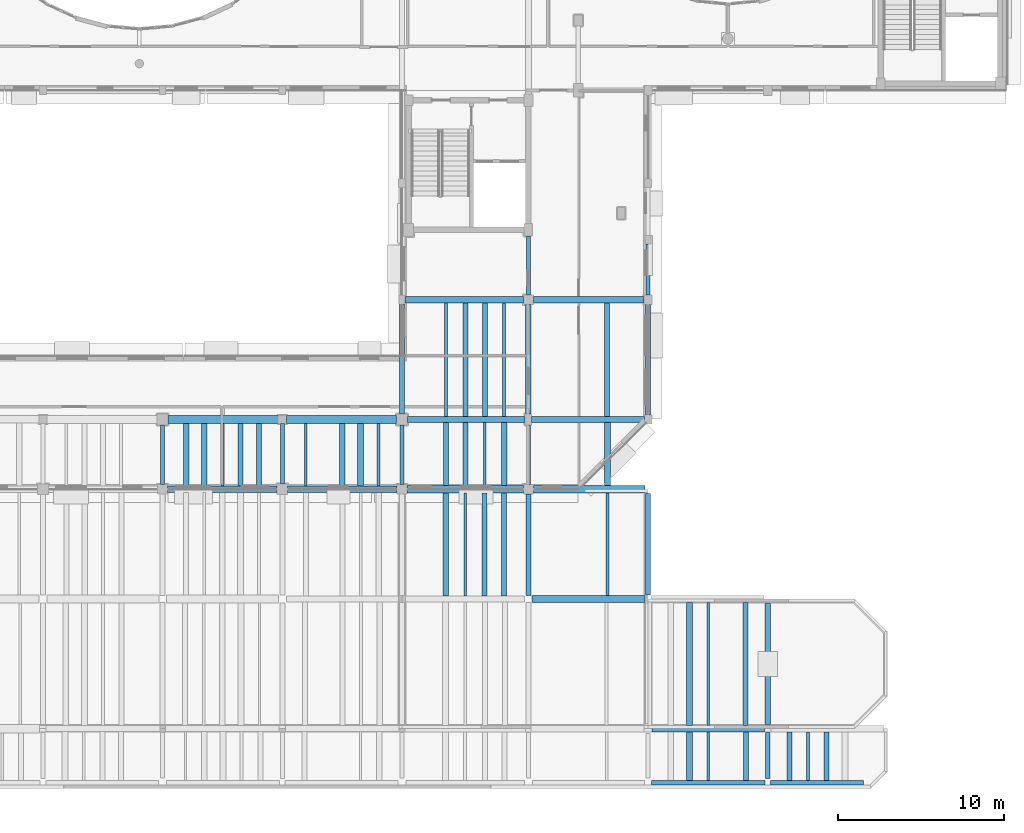
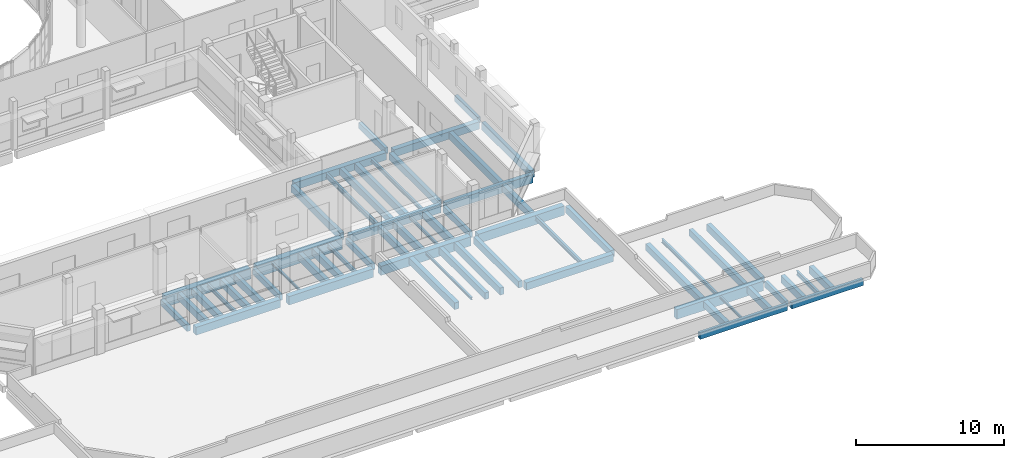
# One storey, part 26 of 105: 60 beams.
"""IFC4 building model written with IfcOpenShell, lengths in metres."""

from ifc_helpers import new_model, si_unit, direction, frame, origin, origin_2d, place, context, subcontext, project, spatial, rectangle, i_section, extrude, material, material_profile, profile_set, type_object, element, save


model = new_model("IFC4")

# Units and contexts
model_context = context("Model", 3, precision=1e-05, world=origin(), true_north=direction((0.0, 1.0)))
body_context = subcontext(model_context, "Body", "Model", "MODEL_VIEW")
ifc_project = project(units=[si_unit("LENGTHUNIT", "METRE"), si_unit("AREAUNIT", "SQUARE_METRE"), si_unit("VOLUMEUNIT", "CUBIC_METRE"), si_unit("PLANEANGLEUNIT", "RADIAN"), si_unit("MASSUNIT", "GRAM", prefix="KILO")], contexts=[model_context])

# Site, building, storey
site_placement = place(None, origin())
site = spatial("IfcSite", under=ifc_project, at=site_placement, CompositionType="ELEMENT")
building_placement = place(site_placement, origin())
building = spatial("IfcBuilding", under=site, at=building_placement, Name="Kelanivale Promenade Academy", CompositionType="ELEMENT")
storey_placement = place(building_placement, frame((0.0, 0.0, 4.199951171875)))
storey = spatial("IfcBuildingStorey", under=building, at=storey_placement, Name="L01", CompositionType="ELEMENT", Elevation=4.199951171875)

# Beams
ifc_material_1 = material(Name="Concrete C35/45", Category="concrete")
ifc_material_profile_1 = material_profile(ifc_material_1, rectangle(XDim=0.39990234375, YDim=0.64990234375, at=origin_2d()), Name="RC-BM 400x650")
ifc_profile_set_1 = profile_set([ifc_material_profile_1], Name="Concrete C35/45")
beam_type_1 = type_object("IfcBeamType", Name="BM-01 RC-BM 400x650", PredefinedType="BEAM", material=ifc_profile_set_1)
beam_1_placement = place(storey_placement, frame((65.094970703125, 18.0, -0.544921875), z_axis=(1.0, 0.0, 0.0), x_axis=(0.0, 1.0, 0.0)))
element("IfcBeam", 1, at=beam_1_placement, inside=storey, type_object=beam_type_1, Name="L01 girder BM-01", PredefinedType="BEAM", context=body_context, shape_type="SweptSolid", body=[
    extrude(rectangle(XDim=0.39990234375, YDim=0.64990234375, at=origin_2d()), origin(), (0.0, 0.0, 1.0), 6.5849609375),
])
ifc_material_profile_2 = material_profile(ifc_material_1, rectangle(XDim=0.39990234375, YDim=0.699951171875, at=origin_2d()), Name="RC-BM 400x700")
ifc_profile_set_2 = profile_set([ifc_material_profile_2], Name="Concrete C35/45")
beam_type_2 = type_object("IfcBeamType", Name="BM-02 RC-BM 400x700", PredefinedType="BEAM", material=ifc_profile_set_2)
beam_2_placement = place(storey_placement, frame((72.320068359375, 18.0, -0.570068359375), z_axis=(1.0, 0.0, 0.0), x_axis=(0.0, 1.0, 0.0)))
element("IfcBeam", 2, at=beam_2_placement, inside=storey, type_object=beam_type_2, Name="L01 girder BM-02", PredefinedType="BEAM", context=body_context, shape_type="SweptSolid", body=[
    extrude(rectangle(XDim=0.39990234375, YDim=0.699951171875, at=origin_2d()), origin(), (0.0, 0.0, 1.0), 6.5849609375),
])
ifc_material_profile_3 = material_profile(ifc_material_1, rectangle(XDim=0.449951171875, YDim=0.75, at=origin_2d()), Name="RC-BM 450x750")
ifc_profile_set_3 = profile_set([ifc_material_profile_3], Name="Concrete C35/45")
beam_type_3 = type_object("IfcBeamType", Name="BM-04 RC-BM 450x750", PredefinedType="BEAM", material=ifc_profile_set_3)
beam_3_placement = place(storey_placement, frame((79.4951171875, 18.0, -0.594970703125), z_axis=(1.0, 0.0, 0.0), x_axis=(0.0, 1.0, 0.0)))
element("IfcBeam", 3, at=beam_3_placement, inside=storey, type_object=beam_type_3, Name="L01 girder BM-04", PredefinedType="BEAM", context=body_context, shape_type="SweptSolid", body=[
    extrude(rectangle(XDim=0.449951171875, YDim=0.75, at=origin_2d()), origin(), (0.0, 0.0, 1.0), 7.009765625),
])
beam_4_placement = place(storey_placement, frame((87.094970703125, 18.0, -0.614990234375), z_axis=(1.0, 0.0, 0.0), x_axis=(0.0, 1.0, 0.0)))
element("IfcBeam", 4, at=beam_4_placement, inside=storey, type_object=beam_type_3, Name="L01 girder BM-04", PredefinedType="BEAM", context=body_context, shape_type="SweptSolid", body=[
    extrude(rectangle(XDim=0.449951171875, YDim=0.75, at=origin_2d()), origin(), (0.0, 0.0, 1.0), 6.7099609375),
])
ifc_material_profile_4 = material_profile(ifc_material_1, rectangle(XDim=0.5, YDim=0.85009765625, at=origin_2d()), Name="RC-BM 500x850")
ifc_profile_set_4 = profile_set([ifc_material_profile_4], Name="Concrete C35/45")
beam_type_4 = type_object("IfcBeamType", Name="BM-07 RC-BM 500x850", PredefinedType="BEAM", material=ifc_profile_set_4)
beam_5_placement = place(storey_placement, frame((65.1201171875, 22.199951171875, -0.64501953125), z_axis=(1.0, 0.0, 0.0), x_axis=(0.0, 1.0, 0.0)))
element("IfcBeam", 5, at=beam_5_placement, inside=storey, type_object=beam_type_4, Name="L01 girder BM-07", PredefinedType="BEAM", context=body_context, shape_type="SweptSolid", body=[
    extrude(rectangle(XDim=0.5, YDim=0.85009765625, at=origin_2d()), origin(), (0.0, 0.0, 1.0), 6.634765625),
])
ifc_material_profile_5 = material_profile(ifc_material_1, rectangle(XDim=0.5, YDim=0.89990234375, at=origin_2d()), Name="RC-BM 500x900")
ifc_profile_set_5 = profile_set([ifc_material_profile_5], Name="Concrete C35/45")
beam_type_5 = type_object("IfcBeamType", Name="BM-08 RC-BM 500x900", PredefinedType="BEAM", material=ifc_profile_set_5)
beam_6_placement = place(storey_placement, frame((72.2451171875, 22.199951171875, -0.669921875), z_axis=(1.0, 0.0, 0.0), x_axis=(0.0, 1.0, 0.0)))
element("IfcBeam", 6, at=beam_6_placement, inside=storey, type_object=beam_type_5, Name="L01 girder BM-08", PredefinedType="BEAM", context=body_context, shape_type="SweptSolid", body=[
    extrude(rectangle(XDim=0.5, YDim=0.89990234375, at=origin_2d()), origin(), (0.0, 0.0, 1.0), 6.634765625),
])
ifc_material_profile_6 = material_profile(ifc_material_1, rectangle(XDim=0.35009765625, YDim=0.64990234375, at=origin_2d()), Name="RC-BM 350x650")
ifc_profile_set_6 = profile_set([ifc_material_profile_6], Name="Concrete C35/45")
beam_type_6 = type_object("IfcBeamType", Name="BM-10 RC-BM 350x650", PredefinedType="BEAM", material=ifc_profile_set_6)
beam_7_placement = place(storey_placement, frame((79.52001953125, 22.199951171875, -0.544921875), z_axis=(1.0, 0.0, 0.0), x_axis=(0.0, 1.0, 0.0)))
element("IfcBeam", 7, at=beam_7_placement, inside=storey, type_object=beam_type_6, Name="L01 girder BM-10", PredefinedType="BEAM", context=body_context, shape_type="SweptSolid", body=[
    extrude(rectangle(XDim=0.35009765625, YDim=0.64990234375, at=origin_2d()), origin(), (0.0, 0.0, 1.0), 7.0849609375),
])
ifc_material_profile_7 = material_profile(ifc_material_1, rectangle(XDim=0.35009765625, YDim=0.699951171875, at=origin_2d()), Name="RC-BM 350x700")
ifc_profile_set_7 = profile_set([ifc_material_profile_7], Name="Concrete C35/45")
beam_type_7 = type_object("IfcBeamType", Name="BM-11 RC-BM 350x700", PredefinedType="BEAM", material=ifc_profile_set_7)
beam_8_placement = place(storey_placement, frame((86.9951171875, 22.199951171875, -0.570068359375), z_axis=(1.0, 0.0, 0.0), x_axis=(0.0, 1.0, 0.0)))
element("IfcBeam", 8, at=beam_8_placement, inside=storey, type_object=beam_type_7, Name="L01 girder BM-11", PredefinedType="BEAM", context=body_context, shape_type="SweptSolid", body=[
    extrude(rectangle(XDim=0.35009765625, YDim=0.699951171875, at=origin_2d()), origin(), (0.0, 0.0, 1.0), 6.784912109375),
])
ifc_material_profile_8 = material_profile(ifc_material_1, rectangle(XDim=0.39990234375, YDim=0.60009765625, at=origin_2d()), Name="RC-BM 400x600")
ifc_profile_set_8 = profile_set([ifc_material_profile_8], Name="Concrete C35/45")
beam_type_8 = type_object("IfcBeamType", Name="BM-12 RC-BM 400x600", PredefinedType="BEAM", material=ifc_profile_set_8)
beam_9_placement = place(storey_placement, frame((87.02001953125, 11.39990234375, -0.5400390625), z_axis=(1.0, 0.0, 0.0), x_axis=(0.0, 1.0, 0.0)))
element("IfcBeam", 9, at=beam_9_placement, inside=storey, type_object=beam_type_8, Name="L01 girder BM-12", PredefinedType="BEAM", context=body_context, shape_type="SweptSolid", body=[
    extrude(rectangle(XDim=0.39990234375, YDim=0.60009765625, at=origin_2d()), origin(), (0.0, 0.0, 1.0), 6.81005859375),
])
beam_10_placement = place(storey_placement, frame((79.3701171875, 29.39990234375, -0.52001953125), z_axis=(1.0, 0.0, 0.0), x_axis=(0.0, 1.0, 0.0)))
element("IfcBeam", 10, at=beam_10_placement, inside=storey, type_object=beam_type_8, Name="L01 girder BM-12", PredefinedType="BEAM", context=body_context, shape_type="SweptSolid", body=[
    extrude(rectangle(XDim=0.39990234375, YDim=0.60009765625, at=origin_2d()), origin(), (0.0, 0.0, 1.0), 7.134765625),
])
beam_11_placement = place(storey_placement, frame((87.094970703125, 29.39990234375, -0.52001953125), z_axis=(1.0, 0.0, 0.0), x_axis=(0.0, 1.0, 0.0)))
element("IfcBeam", 11, at=beam_11_placement, inside=storey, type_object=beam_type_8, Name="L01 girder BM-12", PredefinedType="BEAM", context=body_context, shape_type="SweptSolid", body=[
    extrude(rectangle(XDim=0.39990234375, YDim=0.60009765625, at=origin_2d()), origin(), (0.0, 0.0, 1.0), 6.659912109375),
])
ifc_material_profile_9 = material_profile(ifc_material_1, rectangle(XDim=0.39990234375, YDim=0.800048828125, at=origin_2d()), Name="RC-BM 400x800")
ifc_profile_set_9 = profile_set([ifc_material_profile_9], Name="Concrete C35/45")
beam_type_9 = type_object("IfcBeamType", Name="BM-14 RC-BM 400x800", PredefinedType="BEAM", material=ifc_profile_set_9)
beam_12_placement = place(storey_placement, frame((94.2451171875, 3.60009765625, -0.639892578125), z_axis=(1.0, 0.0, 0.0), x_axis=(0.0, 1.0, 0.0)))
element("IfcBeam", 12, at=beam_12_placement, inside=storey, type_object=beam_type_9, Name="L01 girder BM-14", PredefinedType="BEAM", context=body_context, shape_type="SweptSolid", body=[
    extrude(rectangle(XDim=0.39990234375, YDim=0.800048828125, at=origin_2d()), origin(), (0.0, 0.0, 1.0), 6.759765625),
])
ifc_material_profile_10 = material_profile(ifc_material_1, rectangle(XDim=0.300048828125, YDim=0.550048828125, at=origin_2d()), Name="RC-BM 300x550")
ifc_profile_set_10 = profile_set([ifc_material_profile_10], Name="Concrete C35/45")
beam_type_10 = type_object("IfcBeamType", Name="JS-02 RC-BM 300x550", PredefinedType="JOIST", material=ifc_profile_set_10)
beam_13_placement = place(storey_placement, frame((86.800048828125, 11.6201171875, -0.514892578125), z_axis=(0.0, 1.0, 0.0), x_axis=(-1.0, 0.0, 0.0)))
element("IfcBeam", 13, at=beam_13_placement, inside=storey, type_object=beam_type_10, Name="L01 beam JS-02", PredefinedType="JOIST", context=body_context, shape_type="SweptSolid", body=[
    extrude(rectangle(XDim=0.300048828125, YDim=0.550048828125, at=origin_2d()), origin(), (0.0, 0.0, 1.0), 6.0849609375),
])
beam_14_placement = place(storey_placement, frame((94.0, 11.64501953125, -0.514892578125), z_axis=(0.0, 1.0, 0.0), x_axis=(-1.0, 0.0, 0.0)))
element("IfcBeam", 14, at=beam_14_placement, inside=storey, type_object=beam_type_10, Name="L01 beam JS-02", PredefinedType="JOIST", context=body_context, shape_type="SweptSolid", body=[
    extrude(rectangle(XDim=0.300048828125, YDim=0.550048828125, at=origin_2d()), origin(), (0.0, 0.0, 1.0), 6.10986328125),
])
beam_15_placement = place(storey_placement, frame((99.8779296875, 0.489990234375, -0.514892578125), z_axis=(0.0, 1.0, 0.0), x_axis=(-1.0, 0.0, 0.0)))
element("IfcBeam", 15, at=beam_15_placement, inside=storey, type_object=beam_type_10, Name="L01 secondary sub-beam JS-02", PredefinedType="JOIST", context=body_context, shape_type="SweptSolid", body=[
    extrude(rectangle(XDim=0.300048828125, YDim=0.550048828125, at=origin_2d()), origin(), (0.0, 0.0, 1.0), 2.909912109375),
])
beam_16_placement = place(storey_placement, frame((99.85791015625, 3.800048828125, -0.514892578125), z_axis=(0.0, 1.0, 0.0), x_axis=(-1.0, 0.0, 0.0)))
element("IfcBeam", 16, at=beam_16_placement, inside=storey, type_object=beam_type_10, Name="L01 secondary sub-beam JS-02", PredefinedType="JOIST", context=body_context, shape_type="SweptSolid", body=[
    extrude(rectangle(XDim=0.300048828125, YDim=0.550048828125, at=origin_2d()), origin(), (0.0, 0.0, 1.0), 7.39990234375),
])
beam_17_placement = place(storey_placement, frame((84.16796875, 11.574951171875, -0.514892578125), z_axis=(0.0, 1.0, 0.0), x_axis=(-1.0, 0.0, 0.0)))
element("IfcBeam", 17, at=beam_17_placement, inside=storey, type_object=beam_type_10, Name="L01 secondary sub-beam JS-02", PredefinedType="JOIST", context=body_context, shape_type="SweptSolid", body=[
    extrude(rectangle(XDim=0.300048828125, YDim=0.550048828125, at=origin_2d()), origin(), (0.0, 0.0, 1.0), 6.199951171875),
])
beam_18_placement = place(storey_placement, frame((69.492919921875, 18.199951171875, -0.494873046875), z_axis=(0.0, 1.0, 0.0), x_axis=(-1.0, 0.0, 0.0)))
element("IfcBeam", 18, at=beam_18_placement, inside=storey, type_object=beam_type_10, Name="L01 secondary sub-beam JS-02", PredefinedType="JOIST", context=body_context, shape_type="SweptSolid", body=[
    extrude(rectangle(XDim=0.300048828125, YDim=0.550048828125, at=origin_2d()), origin(), (0.0, 0.0, 1.0), 3.75),
])
beam_19_placement = place(storey_placement, frame((81.847900390625, 18.22509765625, -0.494873046875), z_axis=(0.0, 1.0, 0.0), x_axis=(-1.0, 0.0, 0.0)))
element("IfcBeam", 19, at=beam_19_placement, inside=storey, type_object=beam_type_10, Name="L01 secondary sub-beam JS-02", PredefinedType="JOIST", context=body_context, shape_type="SweptSolid", body=[
    extrude(rectangle(XDim=0.300048828125, YDim=0.550048828125, at=origin_2d()), origin(), (0.0, 0.0, 1.0), 3.7998046875),
])
beam_20_placement = place(storey_placement, frame((83.011962890625, 22.375, -0.494873046875), z_axis=(0.0, 1.0, 0.0), x_axis=(-1.0, 0.0, 0.0)))
element("IfcBeam", 20, at=beam_20_placement, inside=storey, type_object=beam_type_10, Name="L01 secondary sub-beam JS-02", PredefinedType="JOIST", context=body_context, shape_type="SweptSolid", body=[
    extrude(rectangle(XDim=0.300048828125, YDim=0.550048828125, at=origin_2d()), origin(), (0.0, 0.0, 1.0), 6.824951171875),
])
ifc_material_profile_11 = material_profile(ifc_material_1, rectangle(XDim=0.300048828125, YDim=0.60009765625, at=origin_2d()), Name="RC-BM 300x600")
ifc_profile_set_11 = profile_set([ifc_material_profile_11], Name="Concrete C35/45")
beam_type_11 = type_object("IfcBeamType", Name="JS-03 RC-BM 300x600", PredefinedType="JOIST", material=ifc_profile_set_11)
beam_21_placement = place(storey_placement, frame((94.0, 22.469970703125, -0.52001953125), z_axis=(0.0, 1.0, 0.0), x_axis=(-1.0, 0.0, 0.0)))
element("IfcBeam", 21, at=beam_21_placement, inside=storey, type_object=beam_type_11, Name="L01 beam JS-03", PredefinedType="JOIST", context=body_context, shape_type="SweptSolid", body=[
    extrude(rectangle(XDim=0.300048828125, YDim=0.60009765625, at=origin_2d()), origin(), (0.0, 0.0, 1.0), 6.635009765625),
])
beam_22_placement = place(storey_placement, frame((102.507080078125, 0.489990234375, -0.5400390625), z_axis=(0.0, 1.0, 0.0), x_axis=(-1.0, 0.0, 0.0)))
element("IfcBeam", 22, at=beam_22_placement, inside=storey, type_object=beam_type_11, Name="L01 secondary sub-beam JS-03", PredefinedType="JOIST", context=body_context, shape_type="SweptSolid", body=[
    extrude(rectangle(XDim=0.300048828125, YDim=0.60009765625, at=origin_2d()), origin(), (0.0, 0.0, 1.0), 2.909912109375),
])
beam_23_placement = place(storey_placement, frame((85.3369140625, 11.574951171875, -0.5400390625), z_axis=(0.0, 1.0, 0.0), x_axis=(-1.0, 0.0, 0.0)))
element("IfcBeam", 23, at=beam_23_placement, inside=storey, type_object=beam_type_11, Name="L01 secondary sub-beam JS-03", PredefinedType="JOIST", context=body_context, shape_type="SweptSolid", body=[
    extrude(rectangle(XDim=0.300048828125, YDim=0.60009765625, at=origin_2d()), origin(), (0.0, 0.0, 1.0), 6.199951171875),
])
beam_24_placement = place(storey_placement, frame((70.5869140625, 18.199951171875, -0.52001953125), z_axis=(0.0, 1.0, 0.0), x_axis=(-1.0, 0.0, 0.0)))
element("IfcBeam", 24, at=beam_24_placement, inside=storey, type_object=beam_type_11, Name="L01 secondary sub-beam JS-03", PredefinedType="JOIST", context=body_context, shape_type="SweptSolid", body=[
    extrude(rectangle(XDim=0.300048828125, YDim=0.60009765625, at=origin_2d()), origin(), (0.0, 0.0, 1.0), 3.75),
])
beam_25_placement = place(storey_placement, frame((83.011962890625, 18.22509765625, -0.52001953125), z_axis=(0.0, 1.0, 0.0), x_axis=(-1.0, 0.0, 0.0)))
element("IfcBeam", 25, at=beam_25_placement, inside=storey, type_object=beam_type_11, Name="L01 secondary sub-beam JS-03", PredefinedType="JOIST", context=body_context, shape_type="SweptSolid", body=[
    extrude(rectangle(XDim=0.300048828125, YDim=0.60009765625, at=origin_2d()), origin(), (0.0, 0.0, 1.0), 3.7998046875),
])
beam_26_placement = place(storey_placement, frame((84.177001953125, 22.375, -0.52001953125), z_axis=(0.0, 1.0, 0.0), x_axis=(-1.0, 0.0, 0.0)))
element("IfcBeam", 26, at=beam_26_placement, inside=storey, type_object=beam_type_11, Name="L01 secondary sub-beam JS-03", PredefinedType="JOIST", context=body_context, shape_type="SweptSolid", body=[
    extrude(rectangle(XDim=0.300048828125, YDim=0.60009765625, at=origin_2d()), origin(), (0.0, 0.0, 1.0), 6.824951171875),
])
ifc_material_profile_12 = material_profile(ifc_material_1, rectangle(XDim=0.320068359375, YDim=0.550048828125, at=origin_2d()), Name="RC-BM 320x550")
ifc_profile_set_12 = profile_set([ifc_material_profile_12], Name="Concrete C35/45")
beam_type_12 = type_object("IfcBeamType", Name="JS-04 RC-BM 320x550", PredefinedType="JOIST", material=ifc_profile_set_12)
beam_27_placement = place(storey_placement, frame((86.800048828125, 22.52001953125, -0.494873046875), z_axis=(0.0, 1.0, 0.0), x_axis=(-1.0, 0.0, 0.0)))
element("IfcBeam", 27, at=beam_27_placement, inside=storey, type_object=beam_type_12, Name="L01 beam JS-04", PredefinedType="JOIST", context=body_context, shape_type="SweptSolid", body=[
    extrude(rectangle(XDim=0.320068359375, YDim=0.550048828125, at=origin_2d()), origin(), (0.0, 0.0, 1.0), 6.5849609375),
])
beam_28_placement = place(storey_placement, frame((101.199951171875, 3.844970703125, -0.514892578125), z_axis=(0.0, 1.0, 0.0), x_axis=(-1.0, 0.0, 0.0)))
element("IfcBeam", 28, at=beam_28_placement, inside=storey, type_object=beam_type_12, Name="L01 beam JS-04", PredefinedType="JOIST", context=body_context, shape_type="SweptSolid", body=[
    extrude(rectangle(XDim=0.320068359375, YDim=0.550048828125, at=origin_2d()), origin(), (0.0, 0.0, 1.0), 7.284912109375),
])
ifc_material_profile_13 = material_profile(ifc_material_1, rectangle(XDim=0.320068359375, YDim=0.60009765625, at=origin_2d()), Name="RC-BM 320x600")
ifc_profile_set_13 = profile_set([ifc_material_profile_13], Name="Concrete C35/45")
beam_type_13 = type_object("IfcBeamType", Name="JS-05 RC-BM 320x600", PredefinedType="JOIST", material=ifc_profile_set_13)
beam_29_placement = place(storey_placement, frame((79.199951171875, 22.52001953125, -0.52001953125), z_axis=(0.0, 1.0, 0.0), x_axis=(-1.0, 0.0, 0.0)))
element("IfcBeam", 29, at=beam_29_placement, inside=storey, type_object=beam_type_13, Name="L01 beam JS-05", PredefinedType="JOIST", context=body_context, shape_type="SweptSolid", body=[
    extrude(rectangle(XDim=0.320068359375, YDim=0.60009765625, at=origin_2d()), origin(), (0.0, 0.0, 1.0), 6.635009765625),
])
beam_30_placement = place(storey_placement, frame((104.73095703125, 0.489990234375, -0.5400390625), z_axis=(0.0, 1.0, 0.0), x_axis=(-1.0, 0.0, 0.0)))
element("IfcBeam", 30, at=beam_30_placement, inside=storey, type_object=beam_type_13, Name="L01 secondary sub-beam JS-05", PredefinedType="JOIST", context=body_context, shape_type="SweptSolid", body=[
    extrude(rectangle(XDim=0.320068359375, YDim=0.60009765625, at=origin_2d()), origin(), (0.0, 0.0, 1.0), 2.909912109375),
])
for number, where, z_axis, x_axis, name in (
    (31, (66.212890625, 18.199951171875, -0.52001953125), (0.0, 1.0, 0.0), (-1.0, 0.0, 0.0), "L01 secondary sub-beam JS-05"),
    (32, (75.60009765625, 18.199951171875, -0.52001953125), (0.0, 1.0, 0.0), (-1.0, 0.0, 0.0), "L01 secondary sub-beam JS-05"),
):
    element("IfcBeam", number, at=place(storey_placement, frame(where, z_axis=z_axis, x_axis=x_axis)), inside=storey, type_object=beam_type_13, Name=name, PredefinedType="JOIST", context=body_context, shape_type="SweptSolid", body=[
        extrude(rectangle(XDim=0.320068359375, YDim=0.60009765625, at=origin_2d()), origin(), (0.0, 0.0, 1.0), 3.75),
    ])
beam_31_placement = place(storey_placement, frame((85.341064453125, 18.22509765625, -0.52001953125), z_axis=(0.0, 1.0, 0.0), x_axis=(-1.0, 0.0, 0.0)))
element("IfcBeam", 33, at=beam_31_placement, inside=storey, type_object=beam_type_13, Name="L01 secondary sub-beam JS-05", PredefinedType="JOIST", context=body_context, shape_type="SweptSolid", body=[
    extrude(rectangle(XDim=0.320068359375, YDim=0.60009765625, at=origin_2d()), origin(), (0.0, 0.0, 1.0), 3.7998046875),
])
beam_32_placement = place(storey_placement, frame((91.534912109375, 22.375, -0.52001953125), z_axis=(0.0, 1.0, 0.0), x_axis=(-1.0, 0.0, 0.0)))
element("IfcBeam", 34, at=beam_32_placement, inside=storey, type_object=beam_type_13, Name="L01 secondary sub-beam JS-05", PredefinedType="JOIST", context=body_context, shape_type="SweptSolid", body=[
    extrude(rectangle(XDim=0.320068359375, YDim=0.60009765625, at=origin_2d()), origin(), (0.0, 0.0, 1.0), 6.824951171875),
])
ifc_material_profile_14 = material_profile(ifc_material_1, rectangle(XDim=0.35009765625, YDim=0.550048828125, at=origin_2d()), Name="RC-BM 350x550")
ifc_profile_set_14 = profile_set([ifc_material_profile_14], Name="Concrete C35/45")
beam_type_14 = type_object("IfcBeamType", Name="JS-06 RC-BM 350x550", PredefinedType="JOIST", material=ifc_profile_set_14)
beam_33_placement = place(storey_placement, frame((96.498046875, 0.489990234375, -0.514892578125), z_axis=(0.0, 1.0, 0.0), x_axis=(-1.0, 0.0, 0.0)))
element("IfcBeam", 35, at=beam_33_placement, inside=storey, type_object=beam_type_14, Name="L01 secondary sub-beam JS-06", PredefinedType="JOIST", context=body_context, shape_type="SweptSolid", body=[
    extrude(rectangle(XDim=0.35009765625, YDim=0.550048828125, at=origin_2d()), origin(), (0.0, 0.0, 1.0), 2.909912109375),
])
beam_34_placement = place(storey_placement, frame((96.489990234375, 3.800048828125, -0.514892578125), z_axis=(0.0, 1.0, 0.0), x_axis=(-1.0, 0.0, 0.0)))
element("IfcBeam", 36, at=beam_34_placement, inside=storey, type_object=beam_type_14, Name="L01 secondary sub-beam JS-06", PredefinedType="JOIST", context=body_context, shape_type="SweptSolid", body=[
    extrude(rectangle(XDim=0.35009765625, YDim=0.550048828125, at=origin_2d()), origin(), (0.0, 0.0, 1.0), 7.39990234375),
])
beam_35_placement = place(storey_placement, frame((81.83203125, 11.574951171875, -0.514892578125), z_axis=(0.0, 1.0, 0.0), x_axis=(-1.0, 0.0, 0.0)))
element("IfcBeam", 37, at=beam_35_placement, inside=storey, type_object=beam_type_14, Name="L01 secondary sub-beam JS-06", PredefinedType="JOIST", context=body_context, shape_type="SweptSolid", body=[
    extrude(rectangle(XDim=0.35009765625, YDim=0.550048828125, at=origin_2d()), origin(), (0.0, 0.0, 1.0), 6.199951171875),
])
for number, where, z_axis, x_axis, name in (
    (38, (67.306884765625, 18.199951171875, -0.494873046875), (0.0, 1.0, 0.0), (-1.0, 0.0, 0.0), "L01 secondary sub-beam JS-06"),
    (39, (76.693115234375, 18.199951171875, -0.494873046875), (0.0, 1.0, 0.0), (-1.0, 0.0, 0.0), "L01 secondary sub-beam JS-06"),
):
    element("IfcBeam", number, at=place(storey_placement, frame(where, z_axis=z_axis, x_axis=x_axis)), inside=storey, type_object=beam_type_14, Name=name, PredefinedType="JOIST", context=body_context, shape_type="SweptSolid", body=[
        extrude(rectangle(XDim=0.35009765625, YDim=0.550048828125, at=origin_2d()), origin(), (0.0, 0.0, 1.0), 3.75),
    ])
beam_36_placement = place(storey_placement, frame((91.552001953125, 18.22509765625, -0.514892578125), z_axis=(0.0, 1.0, 0.0), x_axis=(-1.0, 0.0, 0.0)))
element("IfcBeam", 40, at=beam_36_placement, inside=storey, type_object=beam_type_14, Name="L01 secondary sub-beam JS-06", PredefinedType="JOIST", context=body_context, shape_type="SweptSolid", body=[
    extrude(rectangle(XDim=0.35009765625, YDim=0.550048828125, at=origin_2d()), origin(), (0.0, 0.0, 1.0), 3.7998046875),
])
ifc_material_profile_15 = material_profile(ifc_material_1, rectangle(XDim=0.25, YDim=0.5, at=origin_2d()), Name="RC-BM 250x500")
ifc_profile_set_15 = profile_set([ifc_material_profile_15], Name="Concrete C35/45")
beam_type_15 = type_object("IfcBeamType", Name="LN-02 RC-BM 250x500", PredefinedType="LINTEL", material=ifc_profile_set_15)
beam_37_placement = place(storey_placement, frame((64.800048828125, 18.294921875, -0.469970703125), z_axis=(0.0, 1.0, 0.0), x_axis=(-1.0, 0.0, 0.0)))
element("IfcBeam", 41, at=beam_37_placement, inside=storey, type_object=beam_type_15, Name="L01 beam LN-02", PredefinedType="LINTEL", context=body_context, shape_type="SweptSolid", body=[
    extrude(rectangle(XDim=0.25, YDim=0.5, at=origin_2d()), origin(), (0.0, 0.0, 1.0), 3.5849609375),
])
beam_38_placement = place(storey_placement, frame((72.0, 18.320068359375, -0.469970703125), z_axis=(0.0, 1.0, 0.0), x_axis=(-1.0, 0.0, 0.0)))
element("IfcBeam", 42, at=beam_38_placement, inside=storey, type_object=beam_type_15, Name="L01 beam LN-02", PredefinedType="LINTEL", context=body_context, shape_type="SweptSolid", body=[
    extrude(rectangle(XDim=0.25, YDim=0.5, at=origin_2d()), origin(), (0.0, 0.0, 1.0), 3.635009765625),
])
for number, where, z_axis, x_axis, name in (
    (43, (79.199951171875, 18.294921875, -0.469970703125), (0.0, 1.0, 0.0), (-1.0, 0.0, 0.0), "L01 beam LN-02"),
    (44, (86.800048828125, 18.294921875, -0.469970703125), (0.0, 1.0, 0.0), (-1.0, 0.0, 0.0), "L01 beam LN-02"),
):
    element("IfcBeam", number, at=place(storey_placement, frame(where, z_axis=z_axis, x_axis=x_axis)), inside=storey, type_object=beam_type_15, Name=name, PredefinedType="LINTEL", context=body_context, shape_type="SweptSolid", body=[
        extrude(rectangle(XDim=0.25, YDim=0.5, at=origin_2d()), origin(), (0.0, 0.0, 1.0), 3.5849609375),
    ])
beam_39_placement = place(storey_placement, frame((86.800048828125, 29.695068359375, -0.469970703125), z_axis=(0.0, 1.0, 0.0), x_axis=(-1.0, 0.0, 0.0)))
element("IfcBeam", 45, at=beam_39_placement, inside=storey, type_object=beam_type_15, Name="L01 beam LN-02", PredefinedType="LINTEL", context=body_context, shape_type="SweptSolid", body=[
    extrude(rectangle(XDim=0.25, YDim=0.5, at=origin_2d()), origin(), (0.0, 0.0, 1.0), 3.534912109375),
])
beam_40_placement = place(storey_placement, frame((94.0, 29.695068359375, -0.469970703125), z_axis=(0.0, 1.0, 0.0), x_axis=(-1.0, 0.0, 0.0)))
element("IfcBeam", 46, at=beam_40_placement, inside=storey, type_object=beam_type_15, Name="L01 beam LN-02", PredefinedType="LINTEL", context=body_context, shape_type="SweptSolid", body=[
    extrude(rectangle(XDim=0.25, YDim=0.5, at=origin_2d()), origin(), (0.0, 0.0, 1.0), 3.059814453125),
])
beam_41_placement = place(storey_placement, frame((101.199951171875, 0.594970703125, -0.489990234375), z_axis=(0.0, 1.0, 0.0), x_axis=(-1.0, 0.0, 0.0)))
element("IfcBeam", 47, at=beam_41_placement, inside=storey, type_object=beam_type_15, Name="L01 beam LN-02", PredefinedType="LINTEL", context=body_context, shape_type="SweptSolid", body=[
    extrude(rectangle(XDim=0.25, YDim=0.5, at=origin_2d()), origin(), (0.0, 0.0, 1.0), 2.760009765625),
])
ifc_material_2 = material(Name="Steel S355", Category="steel")
ifc_material_profile_16 = material_profile(ifc_material_2, i_section(OverallWidth=0.13330078125, OverallDepth=0.203125, WebThickness=0.005615234375, FlangeThickness=0.0078125, FilletRadius=0.007568359375, at=origin_2d()), Name="UB 203x133x25")
ifc_profile_set_16 = profile_set([ifc_material_profile_16], Name="Steel S355")
beam_type_16 = type_object("IfcBeamType", Name="SB-01 UB 203x133x25", PredefinedType="JOIST", material=ifc_profile_set_16)
beam_42_placement = place(storey_placement, frame((97.625, 0.489990234375, -0.342041015625), z_axis=(0.0, 1.0, 0.0), x_axis=(-1.0, 0.0, 0.0)))
element("IfcBeam", 48, at=beam_42_placement, inside=storey, type_object=beam_type_16, Name="L01 secondary sub-beam SB-01", PredefinedType="JOIST", context=body_context, shape_type="SweptSolid", body=[
    extrude(i_section(OverallWidth=0.13330078125, OverallDepth=0.203125, WebThickness=0.005615234375, FlangeThickness=0.0078125, FilletRadius=0.007568359375, at=origin_2d()), origin(), (0.0, 0.0, 1.0), 2.909912109375),
])
beam_43_placement = place(storey_placement, frame((83.0, 11.574951171875, -0.342041015625), z_axis=(0.0, 1.0, 0.0), x_axis=(-1.0, 0.0, 0.0)))
element("IfcBeam", 49, at=beam_43_placement, inside=storey, type_object=beam_type_16, Name="L01 secondary sub-beam SB-01", PredefinedType="JOIST", context=body_context, shape_type="SweptSolid", body=[
    extrude(i_section(OverallWidth=0.13330078125, OverallDepth=0.203125, WebThickness=0.005615234375, FlangeThickness=0.0078125, FilletRadius=0.007568359375, at=origin_2d()), origin(), (0.0, 0.0, 1.0), 6.199951171875),
])
beam_44_placement = place(storey_placement, frame((73.4130859375, 18.199951171875, -0.322021484375), z_axis=(0.0, 1.0, 0.0), x_axis=(-1.0, 0.0, 0.0)))
element("IfcBeam", 50, at=beam_44_placement, inside=storey, type_object=beam_type_16, Name="L01 secondary sub-beam SB-01", PredefinedType="JOIST", context=body_context, shape_type="SweptSolid", body=[
    extrude(i_section(OverallWidth=0.13330078125, OverallDepth=0.203125, WebThickness=0.005615234375, FlangeThickness=0.0078125, FilletRadius=0.007568359375, at=origin_2d()), origin(), (0.0, 0.0, 1.0), 3.75),
])
ifc_material_profile_17 = material_profile(ifc_material_2, i_section(OverallWidth=0.14599609375, OverallDepth=0.25146484375, WebThickness=0.006103515625, FlangeThickness=0.008544921875, FilletRadius=0.007568359375, at=origin_2d()), Name="UB 254x146x31")
ifc_profile_set_17 = profile_set([ifc_material_profile_17], Name="Steel S355")
beam_type_17 = type_object("IfcBeamType", Name="SB-02 UB 254x146x31", PredefinedType="JOIST", material=ifc_profile_set_17)
beam_45_placement = place(storey_placement, frame((84.177001953125, 18.22509765625, -0.345947265625), z_axis=(0.0, 1.0, 0.0), x_axis=(-1.0, 0.0, 0.0)))
element("IfcBeam", 51, at=beam_45_placement, inside=storey, type_object=beam_type_17, Name="L01 secondary sub-beam SB-02", PredefinedType="JOIST", context=body_context, shape_type="SweptSolid", body=[
    extrude(i_section(OverallWidth=0.14599609375, OverallDepth=0.25146484375, WebThickness=0.006103515625, FlangeThickness=0.008544921875, FilletRadius=0.007568359375, at=origin_2d()), origin(), (0.0, 0.0, 1.0), 3.7998046875),
])
ifc_material_profile_18 = material_profile(ifc_material_2, i_section(OverallWidth=0.1650390625, OverallDepth=0.303466796875, WebThickness=0.006103515625, FlangeThickness=0.01025390625, FilletRadius=0.0087890625, at=origin_2d()), Name="UB 305x165x40")
ifc_profile_set_18 = profile_set([ifc_material_profile_18], Name="Steel S355")
beam_type_18 = type_object("IfcBeamType", Name="SB-03 UB 305x165x40", PredefinedType="BEAM", material=ifc_profile_set_18)
beam_46_placement = place(storey_placement, frame((97.613037109375, 3.800048828125, -0.391845703125), z_axis=(0.0, 1.0, 0.0), x_axis=(-1.0, 0.0, 0.0)))
element("IfcBeam", 52, at=beam_46_placement, inside=storey, type_object=beam_type_18, Name="L01 secondary sub-beam SB-03", PredefinedType="BEAM", context=body_context, shape_type="SweptSolid", body=[
    extrude(i_section(OverallWidth=0.1650390625, OverallDepth=0.303466796875, WebThickness=0.006103515625, FlangeThickness=0.01025390625, FilletRadius=0.0087890625, at=origin_2d()), origin(), (0.0, 0.0, 1.0), 7.39990234375),
])
beam_47_placement = place(storey_placement, frame((68.39990234375, 18.199951171875, -0.3720703125), z_axis=(0.0, 1.0, 0.0), x_axis=(-1.0, 0.0, 0.0)))
element("IfcBeam", 53, at=beam_47_placement, inside=storey, type_object=beam_type_18, Name="L01 secondary sub-beam SB-03", PredefinedType="BEAM", context=body_context, shape_type="SweptSolid", body=[
    extrude(i_section(OverallWidth=0.1650390625, OverallDepth=0.303466796875, WebThickness=0.006103515625, FlangeThickness=0.01025390625, FilletRadius=0.0087890625, at=origin_2d()), origin(), (0.0, 0.0, 1.0), 3.75),
])
beam_48_placement = place(storey_placement, frame((85.341064453125, 22.375, -0.3720703125), z_axis=(0.0, 1.0, 0.0), x_axis=(-1.0, 0.0, 0.0)))
element("IfcBeam", 54, at=beam_48_placement, inside=storey, type_object=beam_type_18, Name="L01 secondary sub-beam SB-03", PredefinedType="BEAM", context=body_context, shape_type="SweptSolid", body=[
    extrude(i_section(OverallWidth=0.1650390625, OverallDepth=0.303466796875, WebThickness=0.006103515625, FlangeThickness=0.01025390625, FilletRadius=0.0087890625, at=origin_2d()), origin(), (0.0, 0.0, 1.0), 6.824951171875),
])
ifc_material_profile_19 = material_profile(ifc_material_2, i_section(OverallWidth=0.17138671875, OverallDepth=0.35498046875, WebThickness=0.00732421875, FlangeThickness=0.011474609375, FilletRadius=0.01025390625, at=origin_2d()), Name="UB 356x171x51")
ifc_profile_set_19 = profile_set([ifc_material_profile_19], Name="Steel S355")
beam_type_19 = type_object("IfcBeamType", Name="SB-04 UB 356x171x51", PredefinedType="BEAM", material=ifc_profile_set_19)
beam_49_placement = place(storey_placement, frame((103.618896484375, 0.489990234375, -0.41796875), z_axis=(0.0, 1.0, 0.0), x_axis=(-1.0, 0.0, 0.0)))
element("IfcBeam", 55, at=beam_49_placement, inside=storey, type_object=beam_type_19, Name="L01 secondary sub-beam SB-04", PredefinedType="BEAM", context=body_context, shape_type="SweptSolid", body=[
    extrude(i_section(OverallWidth=0.17138671875, OverallDepth=0.35498046875, WebThickness=0.00732421875, FlangeThickness=0.011474609375, FilletRadius=0.01025390625, at=origin_2d()), origin(), (0.0, 0.0, 1.0), 2.909912109375),
])
beam_50_placement = place(storey_placement, frame((91.568115234375, 11.60009765625, -0.41796875), z_axis=(0.0, 1.0, 0.0), x_axis=(-1.0, 0.0, 0.0)))
element("IfcBeam", 56, at=beam_50_placement, inside=storey, type_object=beam_type_19, Name="L01 secondary sub-beam SB-04", PredefinedType="BEAM", context=body_context, shape_type="SweptSolid", body=[
    extrude(i_section(OverallWidth=0.17138671875, OverallDepth=0.35498046875, WebThickness=0.00732421875, FlangeThickness=0.011474609375, FilletRadius=0.01025390625, at=origin_2d()), origin(), (0.0, 0.0, 1.0), 6.1748046875),
])
beam_51_placement = place(storey_placement, frame((77.787109375, 18.199951171875, -0.39697265625), z_axis=(0.0, 1.0, 0.0), x_axis=(-1.0, 0.0, 0.0)))
element("IfcBeam", 57, at=beam_51_placement, inside=storey, type_object=beam_type_19, Name="L01 secondary sub-beam SB-04", PredefinedType="BEAM", context=body_context, shape_type="SweptSolid", body=[
    extrude(i_section(OverallWidth=0.17138671875, OverallDepth=0.35498046875, WebThickness=0.00732421875, FlangeThickness=0.011474609375, FilletRadius=0.01025390625, at=origin_2d()), origin(), (0.0, 0.0, 1.0), 3.75),
])
ifc_material_profile_20 = material_profile(ifc_material_2, i_section(OverallWidth=0.177978515625, OverallDepth=0.406494140625, WebThickness=0.0078125, FlangeThickness=0.0126953125, FilletRadius=0.01025390625, at=origin_2d()), Name="UB 406x178x60")
ifc_profile_set_20 = profile_set([ifc_material_profile_20], Name="Steel S355")
beam_type_20 = type_object("IfcBeamType", Name="SB-05 UB 406x178x60", PredefinedType="BEAM", material=ifc_profile_set_20)
beam_52_placement = place(storey_placement, frame((81.847900390625, 22.375, -0.4228515625), z_axis=(0.0, 1.0, 0.0), x_axis=(-1.0, 0.0, 0.0)))
element("IfcBeam", 58, at=beam_52_placement, inside=storey, type_object=beam_type_20, Name="L01 secondary sub-beam SB-05", PredefinedType="BEAM", context=body_context, shape_type="SweptSolid", body=[
    extrude(i_section(OverallWidth=0.177978515625, OverallDepth=0.406494140625, WebThickness=0.0078125, FlangeThickness=0.0126953125, FilletRadius=0.01025390625, at=origin_2d()), origin(), (0.0, 0.0, 1.0), 6.824951171875),
])
ifc_material_profile_21 = material_profile(ifc_material_1, rectangle(XDim=0.280029296875, YDim=0.5, at=origin_2d()), Name="RC-BM 280x500")
ifc_profile_set_21 = profile_set([ifc_material_profile_21], Name="Concrete C35/45")
beam_type_21 = type_object("IfcBeamType", Name="SP-01 RC-BM 280x500", PredefinedType="SPANDREL", material=ifc_profile_set_21)
beam_53_placement = place(storey_placement, frame((94.219970703125, 0.35009765625, -0.489990234375), z_axis=(1.0, 0.0, 0.0), x_axis=(0.0, 1.0, 0.0)))
element("IfcBeam", 59, at=beam_53_placement, inside=storey, type_object=beam_type_21, Name="L01 girder SP-01", PredefinedType="SPANDREL", context=body_context, shape_type="SweptSolid", body=[
    extrude(rectangle(XDim=0.280029296875, YDim=0.5, at=origin_2d()), origin(), (0.0, 0.0, 1.0), 6.81005859375),
])
beam_54_placement = place(storey_placement, frame((101.3701171875, 0.35009765625, -0.489990234375), z_axis=(1.0, 0.0, 0.0), x_axis=(0.0, 1.0, 0.0)))
element("IfcBeam", 60, at=beam_54_placement, inside=storey, type_object=beam_type_21, Name="L01 girder SP-01", PredefinedType="SPANDREL", context=body_context, shape_type="SweptSolid", body=[
    extrude(rectangle(XDim=0.280029296875, YDim=0.5, at=origin_2d()), origin(), (0.0, 0.0, 1.0), 5.5849609375),
])

save(model, "model.ifc")
